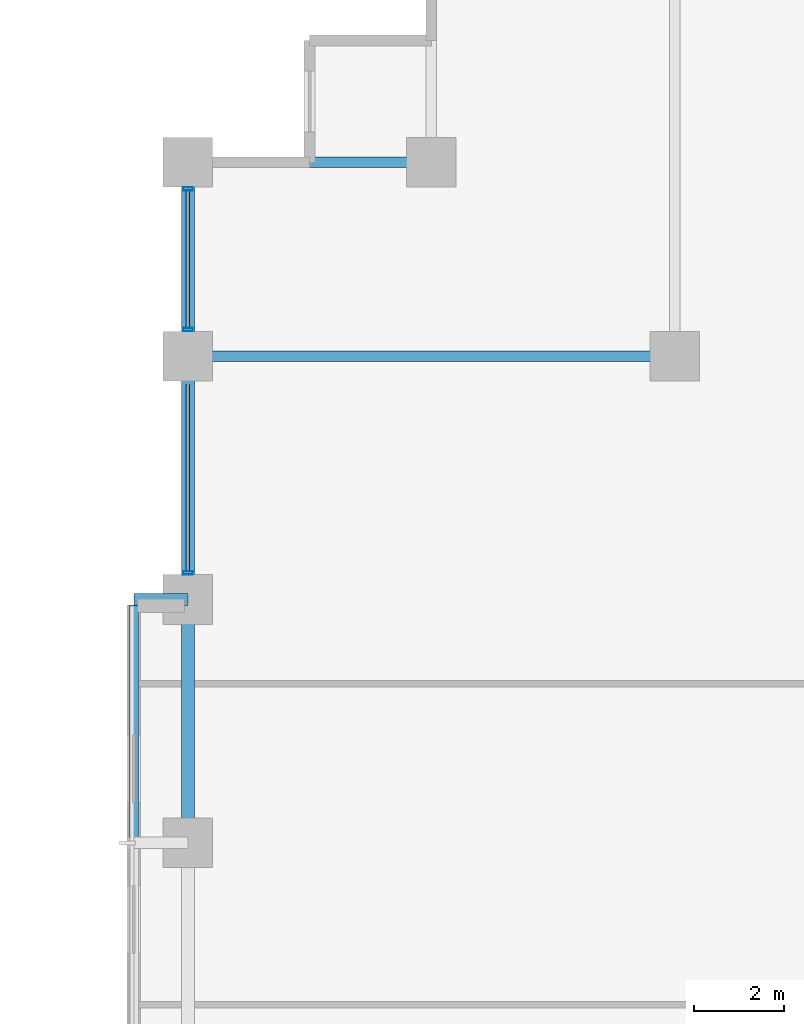
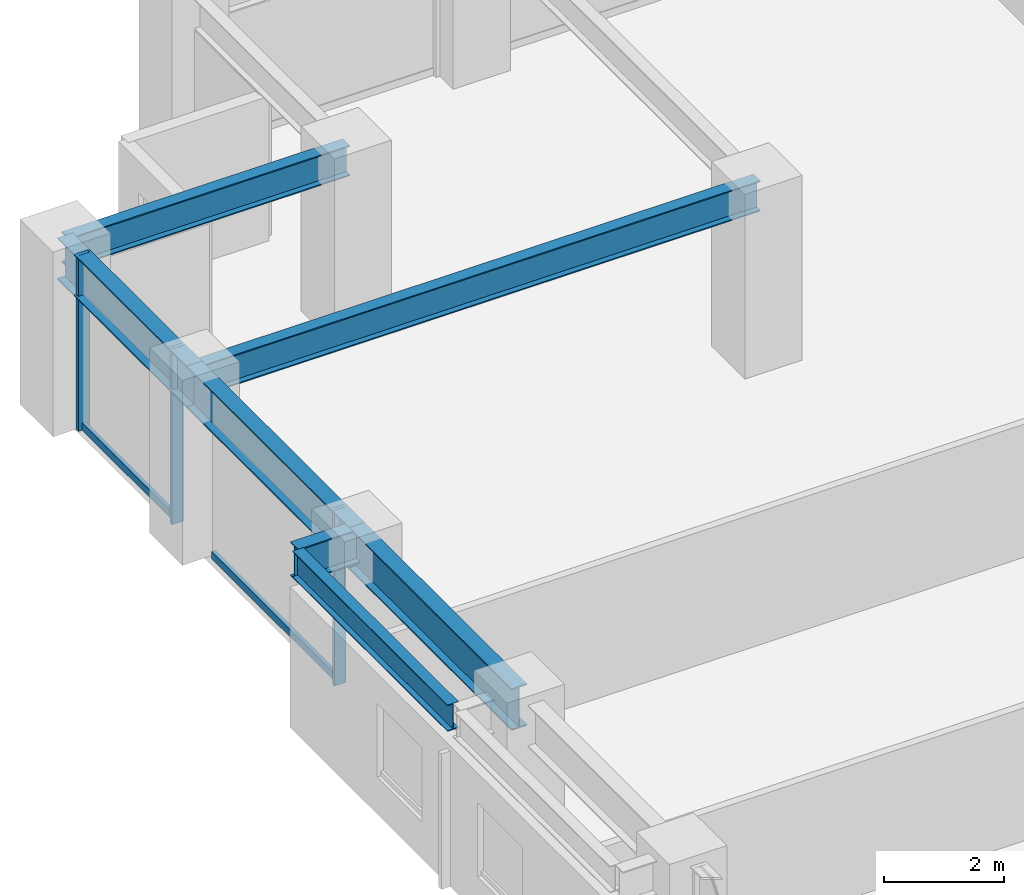
# One storey, part 9 of 25: 7 beams, 5 members, 1 element without a shape of its own.
"""IFC4 building model written with IfcOpenShell, lengths in metres."""

from ifc_helpers import new_model, si_unit, direction, frame, origin, origin_2d, place, context, subcontext, project, spatial, hollow_rectangle, i_section, extrude, material, layer, layer_set, material_profile, profile_set, type_object, element, aggregate, save


model = new_model("IFC4")

# Units and contexts
model_context = context("Model", 3, precision=1e-05, world=origin(), true_north=direction((0.0, 1.0)))
body_context = subcontext(model_context, "Body", "Model", "MODEL_VIEW")
ifc_project = project(units=[si_unit("LENGTHUNIT", "METRE"), si_unit("AREAUNIT", "SQUARE_METRE"), si_unit("VOLUMEUNIT", "CUBIC_METRE"), si_unit("PLANEANGLEUNIT", "RADIAN"), si_unit("MASSUNIT", "GRAM", prefix="KILO")], contexts=[model_context])

# Site, building, storey
site_placement = place(None, origin())
site = spatial("IfcSite", under=ifc_project, at=site_placement, CompositionType="ELEMENT")
building_placement = place(site_placement, origin())
building = spatial("IfcBuilding", under=site, at=building_placement, Name="Surkhivell Harbour Commons", CompositionType="ELEMENT")
storey_placement = place(building_placement, frame((0.0, 0.0, 94.5)))
storey = spatial("IfcBuildingStorey", under=building, at=storey_placement, Name="L24", CompositionType="ELEMENT", Elevation=94.5)

# Beams
ifc_material_1 = material(Name="Steel S460", Category="steel")
ifc_material_profile_1 = material_profile(ifc_material_1, i_section(OverallWidth=0.256103515625, OverallDepth=0.693115234375, WebThickness=0.014404296875, FlangeThickness=0.023681640625, at=origin_2d()), Name="UB686x254x170")
ifc_profile_set_1 = profile_set([ifc_material_profile_1], Name="Steel S460")
beam_type_1 = type_object("IfcBeamType", Name="BM-CNT-686", PredefinedType="BEAM", material=ifc_profile_set_1)
beam_1_placement = place(storey_placement, frame((-32.39990234375, 10.800048828125, 3.223388671875), z_axis=(-1.0, 0.0, 0.0), x_axis=(0.0, -1.0, 0.0)))
element("IfcBeam", 1, at=beam_1_placement, inside=storey, type_object=beam_type_1, Name="L24 Box Cantilever Outrigger (-32.4,10.8)", PredefinedType="BEAM", context=body_context, shape_type="SweptSolid", body=[
    extrude(i_section(OverallWidth=0.256103515625, OverallDepth=0.693115234375, WebThickness=0.014404296875, FlangeThickness=0.023681640625, at=origin_2d()), origin(), (0.0, 0.0, 1.0), 1.2001953125),
])
ifc_material_2 = material(Name="Steel S355", Category="steel")
ifc_material_profile_2 = material_profile(ifc_material_2, i_section(OverallWidth=0.2099609375, OverallDepth=0.537109375, WebThickness=0.0107421875, FlangeThickness=0.017333984375, at=origin_2d()), Name="UB533x210x101")
ifc_profile_set_2 = profile_set([ifc_material_profile_2], Name="Steel S355")
beam_type_2 = type_object("IfcBeamType", Name="BM-GRD-533B", PredefinedType="BEAM", material=ifc_profile_set_2)
beam_2_placement = place(storey_placement, frame((-33.60009765625, 5.52197265625, 3.301513671875), z_axis=(0.0, 1.0, 0.0), x_axis=(-1.0, 0.0, 0.0)))
element("IfcBeam", 2, at=beam_2_placement, inside=storey, type_object=beam_type_2, Name="L24 Box Rim Spandrel (-33.6,5.4)", PredefinedType="BEAM", context=body_context, shape_type="SweptSolid", body=[
    extrude(i_section(OverallWidth=0.2099609375, OverallDepth=0.537109375, WebThickness=0.0107421875, FlangeThickness=0.017333984375, at=origin_2d()), origin(), (0.0, 0.0, 1.0), 5.156005859375),
])
ifc_material_profile_3 = material_profile(ifc_material_2, i_section(OverallWidth=0.22998046875, OverallDepth=0.616943359375, WebThickness=0.01318359375, FlangeThickness=0.022216796875, at=origin_2d()), Name="UB610x229x140")
ifc_profile_set_3 = profile_set([ifc_material_profile_3], Name="Steel S355")
beam_type_3 = type_object("IfcBeamType", Name="BM-GRD-610B", PredefinedType="BEAM", material=ifc_profile_set_3)
beam_3_placement = place(storey_placement, frame((-32.39990234375, 16.199951171875, 3.261474609375), z_axis=(1.0, 0.0, 0.0), x_axis=(0.0, 1.0, 0.0)))
element("IfcBeam", 3, at=beam_3_placement, inside=storey, type_object=beam_type_3, Name="L24 Floor Girder (-32.4,16.2)", PredefinedType="BEAM", context=body_context, shape_type="SweptSolid", body=[
    extrude(i_section(OverallWidth=0.22998046875, OverallDepth=0.616943359375, WebThickness=0.01318359375, FlangeThickness=0.022216796875, at=origin_2d()), origin(), (0.0, 0.0, 1.0), 10.7998046875),
])
beam_4_placement = place(storey_placement, frame((-32.39990234375, 20.5, 3.261474609375), z_axis=(1.0, 0.0, 0.0), x_axis=(0.0, 1.0, 0.0)))
element("IfcBeam", 4, at=beam_4_placement, inside=storey, type_object=beam_type_3, Name="L24 Floor Girder (-32.4,20.5)", PredefinedType="BEAM", context=body_context, shape_type="SweptSolid", body=[
    extrude(i_section(OverallWidth=0.22998046875, OverallDepth=0.616943359375, WebThickness=0.01318359375, FlangeThickness=0.022216796875, at=origin_2d()), origin(), (0.0, 0.0, 1.0), 5.39990234375),
])
ifc_material_profile_4 = material_profile(ifc_material_1, i_section(OverallWidth=0.2939453125, OverallDepth=0.85107421875, WebThickness=0.01611328125, FlangeThickness=0.02685546875, at=origin_2d()), Name="UB838x292x226")
ifc_profile_set_4 = profile_set([ifc_material_profile_4], Name="Steel S460")
beam_type_4 = type_object("IfcBeamType", Name="BM-SPN-838", PredefinedType="SPANDREL", material=ifc_profile_set_4)
beam_5_placement = place(storey_placement, frame((-32.39990234375, 5.39990234375, 3.14453125), z_axis=(0.0, 1.0, 0.0), x_axis=(-1.0, 0.0, 0.0)))
element("IfcBeam", 5, at=beam_5_placement, inside=storey, type_object=beam_type_4, Name="L24 Tube Spandrel (-32.4,5.4)", PredefinedType="SPANDREL", context=body_context, shape_type="SweptSolid", body=[
    extrude(i_section(OverallWidth=0.2939453125, OverallDepth=0.85107421875, WebThickness=0.01611328125, FlangeThickness=0.02685546875, at=origin_2d()), origin(), (0.0, 0.0, 1.0), 5.400146484375),
])
beam_6_placement = place(storey_placement, frame((-32.39990234375, 10.800048828125, 3.14453125), z_axis=(0.0, 1.0, 0.0), x_axis=(-1.0, 0.0, 0.0)))
element("IfcBeam", 6, at=beam_6_placement, inside=storey, type_object=beam_type_4, Name="L24 Tube Spandrel (-32.4,10.8)", PredefinedType="SPANDREL", context=body_context, shape_type="SweptSolid", body=[
    extrude(i_section(OverallWidth=0.2939453125, OverallDepth=0.85107421875, WebThickness=0.01611328125, FlangeThickness=0.02685546875, at=origin_2d()), origin(), (0.0, 0.0, 1.0), 5.39990234375),
])
beam_7_placement = place(storey_placement, frame((-32.39990234375, 16.199951171875, 3.14453125), z_axis=(0.0, 1.0, 0.0), x_axis=(-1.0, 0.0, 0.0)))
element("IfcBeam", 7, at=beam_7_placement, inside=storey, type_object=beam_type_4, Name="L24 Tube Spandrel (-32.4,16.2)", PredefinedType="SPANDREL", context=body_context, shape_type="SweptSolid", body=[
    extrude(i_section(OverallWidth=0.2939453125, OverallDepth=0.85107421875, WebThickness=0.01611328125, FlangeThickness=0.02685546875, at=origin_2d()), origin(), (0.0, 0.0, 1.0), 4.300048828125),
])

# Curtain wall, members
ifc_material_3 = material(Name="Anodised pale-metal aluminium and insulated glazing", Category="aluminium")
ifc_layer = layer(ifc_material_3, 0.205078125)
ifc_layer_set = layer_set([ifc_layer], Name="Anodised pale-metal aluminium and insulated glazing")
curtain_wall_type = type_object("IfcCurtainWallType", Name="CW-SYS-Z2", PredefinedType="NOTDEFINED", material=ifc_layer_set)
curtain_wall_placement = place(storey_placement, origin())
curtain_wall = element("IfcCurtainWall", 8, at=curtain_wall_placement, inside=storey, type_object=curtain_wall_type, Name="L24 Curtain Wall CW-L24-E12R2", PredefinedType="NOTDEFINED")
ifc_material_4 = material(Name="Anodised pale-metal aluminium alloy 6063-T6", Category="aluminium")
ifc_material_profile_5 = material_profile(ifc_material_4, hollow_rectangle(XDim=0.074951171875, YDim=0.219970703125, WallThickness=0.00390625, at=origin_2d()), Name="ALU-MULL-75x220")
ifc_profile_set_5 = profile_set([ifc_material_profile_5], Name="Anodised pale-metal aluminium alloy 6063-T6")
member_type_1 = type_object("IfcMemberType", Name="CWM-220", PredefinedType="MULLION", material=ifc_profile_set_5)
member_1_placement = place(storey_placement, frame((-32.39990234375, 11.389404296875, 0.0), z_axis=(0.0, 0.0, 1.0), x_axis=(0.0, 1.0, 0.0)))
member_1 = element("IfcMember", 9, at=member_1_placement, type_object=member_type_1, Name="CW-Z2 mullion 1", PredefinedType="MULLION", context=body_context, shape_type="SweptSolid", body=[
    extrude(hollow_rectangle(XDim=0.074951171875, YDim=0.219970703125, WallThickness=0.00390625, at=origin_2d()), origin(), (0.0, 0.0, 1.0), 3.570068359375),
])
member_2_placement = place(storey_placement, frame((-32.39990234375, 16.78955078125, 0.0), z_axis=(0.0, 0.0, 1.0), x_axis=(0.0, 1.0, 0.0)))
member_2 = element("IfcMember", 10, at=member_2_placement, type_object=member_type_1, Name="CW-Z2 mullion 2", PredefinedType="MULLION", context=body_context, shape_type="SweptSolid", body=[
    extrude(hollow_rectangle(XDim=0.074951171875, YDim=0.219970703125, WallThickness=0.00390625, at=origin_2d()), origin(), (0.0, 0.0, 1.0), 3.570068359375),
])
member_3_placement = place(storey_placement, frame((-32.39990234375, 19.910400390625, 0.0), z_axis=(0.0, 0.0, 1.0), x_axis=(0.0, 1.0, 0.0)))
member_3 = element("IfcMember", 11, at=member_3_placement, type_object=member_type_1, Name="CW-Z2 mullion 3", PredefinedType="MULLION", context=body_context, shape_type="SweptSolid", body=[
    extrude(hollow_rectangle(XDim=0.074951171875, YDim=0.219970703125, WallThickness=0.00390625, at=origin_2d()), origin(), (0.0, 0.0, 1.0), 3.570068359375),
])
ifc_material_profile_6 = material_profile(ifc_material_4, hollow_rectangle(XDim=0.074951171875, YDim=0.14990234375, WallThickness=0.00341796875, at=origin_2d()), Name="ALU-TRAN-75x150")
ifc_profile_set_6 = profile_set([ifc_material_profile_6], Name="Anodised pale-metal aluminium alloy 6063-T6")
member_type_2 = type_object("IfcMemberType", Name="CWT-150", PredefinedType="USERDEFINED", material=ifc_profile_set_6)
member_4_placement = place(storey_placement, frame((-32.39990234375, 11.427001953125, 0.074951171875), z_axis=(0.0, 1.0, 0.0), x_axis=(-1.0, 0.0, 0.0)))
member_4 = element("IfcMember", 12, at=member_4_placement, type_object=member_type_2, Name="CW-Z2 transom 1.1", ObjectType="TRANSOM", PredefinedType="USERDEFINED", context=body_context, shape_type="SweptSolid", body=[
    extrude(hollow_rectangle(XDim=0.074951171875, YDim=0.14990234375, WallThickness=0.00341796875, at=origin_2d()), origin(), (0.0, 0.0, 1.0), 4.14599609375),
])
member_5_placement = place(storey_placement, frame((-32.39990234375, 16.826904296875, 0.074951171875), z_axis=(0.0, 1.0, 0.0), x_axis=(-1.0, 0.0, 0.0)))
member_5 = element("IfcMember", 13, at=member_5_placement, type_object=member_type_2, Name="CW-Z2 transom 2.1", ObjectType="TRANSOM", PredefinedType="USERDEFINED", context=body_context, shape_type="SweptSolid", body=[
    extrude(hollow_rectangle(XDim=0.074951171875, YDim=0.14990234375, WallThickness=0.00341796875, at=origin_2d()), origin(), (0.0, 0.0, 1.0), 3.046142578125),
])
aggregate(curtain_wall, [member_1, member_4, member_2, member_3, member_5])

save(model, "model.ifc")
